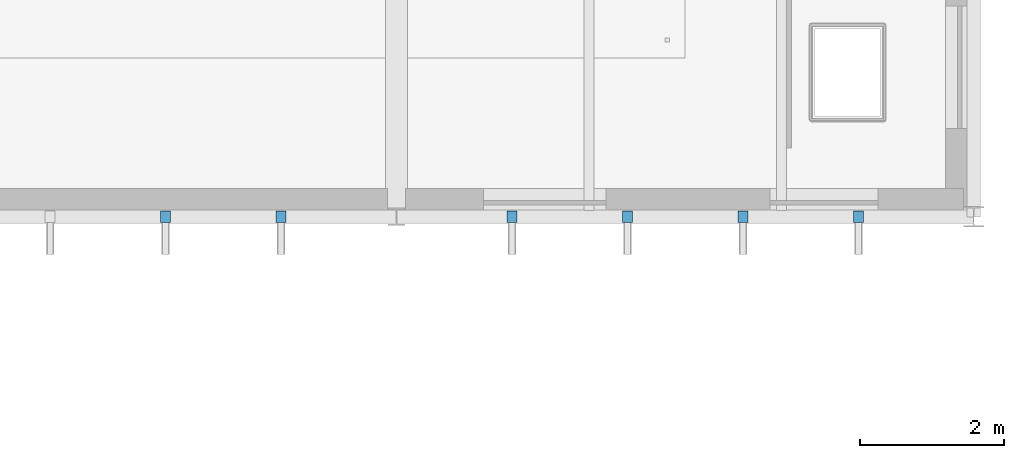
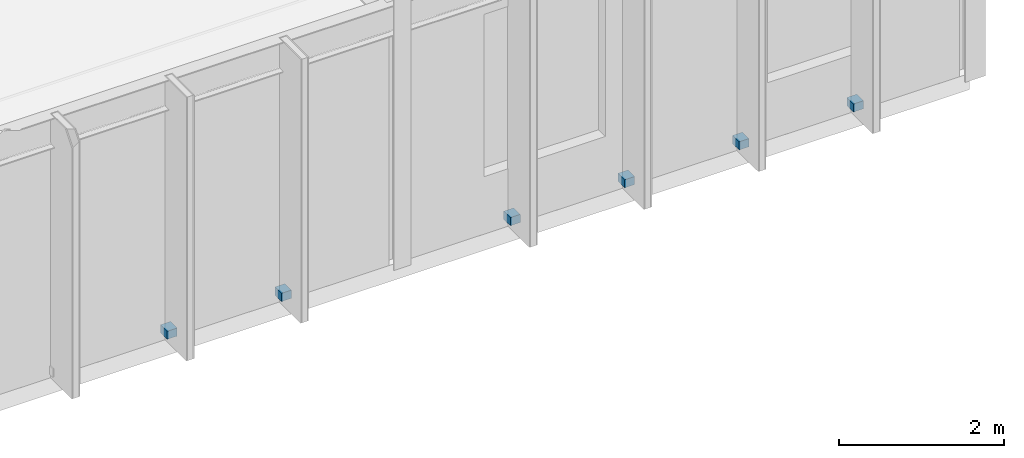
# One storey, part 113 of 124: 6 discrete accessories.
"""IFC4 building model written with IfcOpenShell, lengths in metres."""

from ifc_helpers import new_model, si_unit, direction, frame, origin, origin_2d, place, context, subcontext, project, spatial, rectangle, extrude, material, type_object, element, save


model = new_model("IFC4")

# Units and contexts
model_context = context("Model", 3, precision=1e-05, world=origin(), true_north=direction((0.0, 1.0)))
body_context = subcontext(model_context, "Body", "Model", "MODEL_VIEW")
ifc_project = project(units=[si_unit("LENGTHUNIT", "METRE"), si_unit("AREAUNIT", "SQUARE_METRE"), si_unit("VOLUMEUNIT", "CUBIC_METRE"), si_unit("PLANEANGLEUNIT", "RADIAN"), si_unit("MASSUNIT", "GRAM", prefix="KILO")], contexts=[model_context])

# Site, building, storey
site_placement = place(None, origin())
site = spatial("IfcSite", under=ifc_project, at=site_placement, CompositionType="ELEMENT")
building_placement = place(site_placement, origin())
building = spatial("IfcBuilding", under=site, at=building_placement, Name="Sundkrona Museum", CompositionType="ELEMENT")
storey_placement = place(building_placement, frame((0.0, 0.0, 17.60009765625)))
storey = spatial("IfcBuildingStorey", under=building, at=storey_placement, Name="L03", CompositionType="ELEMENT", Elevation=17.60009765625)

# Discrete accessories
ifc_material = material(Name="Stainless Steel EN 1.4404 Cleat", Category="steel")
discrete_accessory_type = type_object("IfcDiscreteAccessoryType", Name="BRK-FIN-01", PredefinedType="BRACKET", material=ifc_material)
for number, where, z_axis, x_axis, name in (
    (1, (68.800048828125, 78.0, 0.059814453125), (0.0, 0.0, 1.0), (1.0, 0.0, 0.0), "L03 Fin Bracket S-127"),
    (2, (70.39990234375, 78.0, 0.059814453125), (0.0, 0.0, 1.0), (1.0, 0.0, 0.0), "L03 Fin Bracket S-128"),
    (3, (73.60009765625, 78.0, 0.059814453125), (0.0, 0.0, 1.0), (1.0, 0.0, 0.0), "L03 Fin Bracket S-129"),
    (4, (75.199951171875, 78.0, 0.059814453125), (0.0, 0.0, 1.0), (1.0, 0.0, 0.0), "L03 Fin Bracket S-130"),
    (5, (76.800048828125, 78.0, 0.059814453125), (0.0, 0.0, 1.0), (1.0, 0.0, 0.0), "L03 Fin Bracket S-131"),
    (6, (78.39990234375, 78.0, 0.059814453125), (0.0, 0.0, 1.0), (1.0, 0.0, 0.0), "L03 Fin Bracket S-132"),
):
    element("IfcDiscreteAccessory", number, at=place(storey_placement, frame(where, z_axis=z_axis, x_axis=x_axis)), inside=storey, type_object=discrete_accessory_type, Name=name, PredefinedType="BRACKET", context=body_context, shape_type="SweptSolid", body=[
        extrude(rectangle(XDim=0.139892578125, YDim=0.159912109375, at=origin_2d()), origin(), (0.0, 0.0, 1.0), 0.1201171875),
    ])

save(model, "model.ifc")
